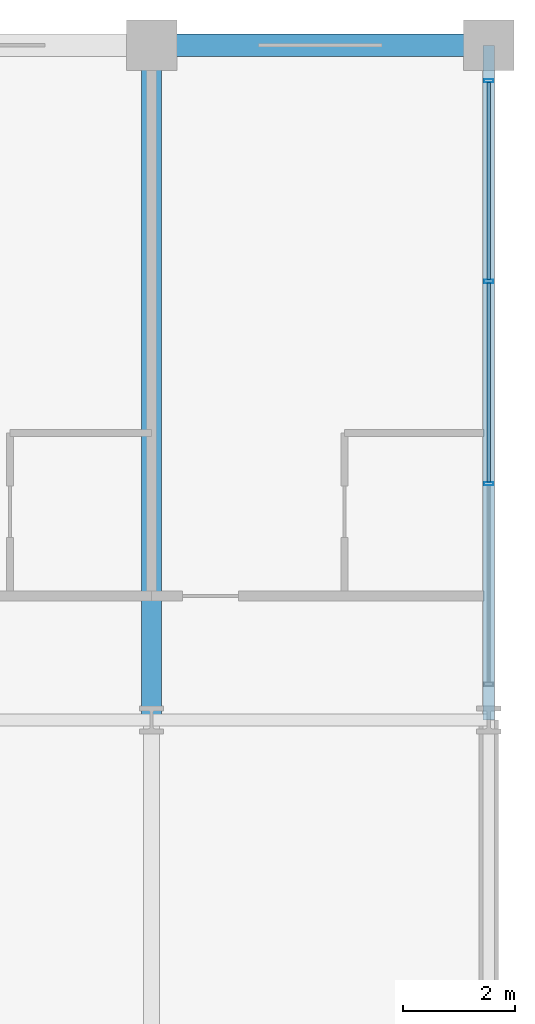
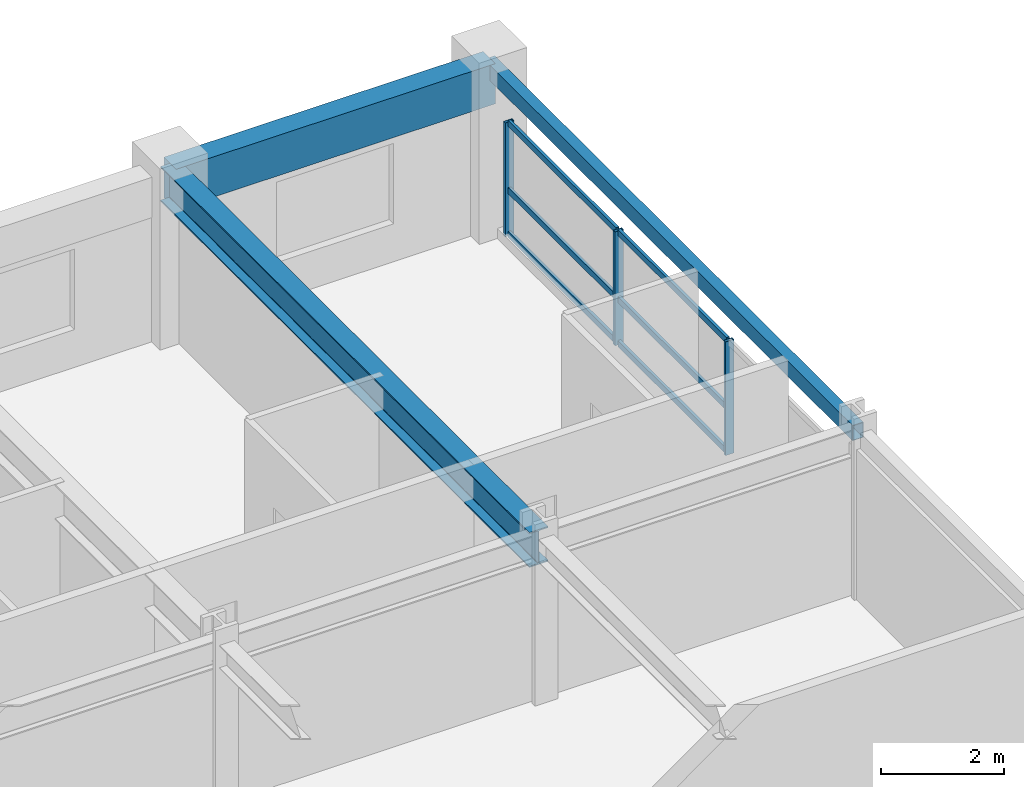
# One storey, part 14 of 22: 9 members, 3 beams, 1 element without a shape of its own.
"""IFC4 building model written with IfcOpenShell, lengths in metres."""

from ifc_helpers import new_model, si_unit, direction, frame, origin, origin_2d, place, context, subcontext, project, spatial, rectangle, hollow_rectangle, i_section, extrude, material, material_profile, profile_set, type_object, element, aggregate, save


model = new_model("IFC4")

# Units and contexts
model_context = context("Model", 3, precision=1e-05, world=origin(), true_north=direction((0.0, 1.0)))
body_context = subcontext(model_context, "Body", "Model", "MODEL_VIEW")
ifc_project = project(units=[si_unit("LENGTHUNIT", "METRE"), si_unit("AREAUNIT", "SQUARE_METRE"), si_unit("VOLUMEUNIT", "CUBIC_METRE"), si_unit("PLANEANGLEUNIT", "RADIAN"), si_unit("MASSUNIT", "GRAM", prefix="KILO")], contexts=[model_context])

# Site, building, storey
site_placement = place(None, origin())
site = spatial("IfcSite", under=ifc_project, at=site_placement, CompositionType="ELEMENT")
building_placement = place(site_placement, origin())
building = spatial("IfcBuilding", under=site, at=building_placement, Name="Kaldorvane Square Convention Centre", CompositionType="ELEMENT")
storey_placement = place(building_placement, frame((0.0, 0.0, 34.80000305175781)))
storey = spatial("IfcBuildingStorey", under=building, at=storey_placement, Name="L07", CompositionType="ELEMENT", Elevation=34.80000305175781)

# Beams
ifc_material_1 = material(Name="Steel ASTM A992 Gr. 50", Category="steel")
ifc_material_profile_1 = material_profile(ifc_material_1, i_section(OverallWidth=0.354705810546875, OverallDepth=0.69549560546875, WebThickness=0.0153961181640625, FlangeThickness=0.0251007080078125, FilletRadius=0.01519775390625, at=origin_2d()), Name="W27X146")
ifc_profile_set_1 = profile_set([ifc_material_profile_1], Name="Steel ASTM A992 Gr. 50")
beam_type_1 = type_object("IfcBeamType", Name="BM-GR-W27X146", PredefinedType="BEAM", material=ifc_profile_set_1)
beam_1_placement = place(storey_placement, frame((90.0, 105.0, 2.93829345703125), z_axis=(0.0, 1.0, 0.0), x_axis=(-1.0, 0.0, 0.0)))
element("IfcBeam", 1, at=beam_1_placement, inside=storey, type_object=beam_type_1, Name="Transverse Girder (L07)", PredefinedType="BEAM", context=body_context, shape_type="SweptSolid", body=[
    extrude(i_section(OverallWidth=0.354705810546875, OverallDepth=0.69549560546875, WebThickness=0.0153961181640625, FlangeThickness=0.0251007080078125, FilletRadius=0.01519775390625, at=origin_2d()), origin(), (0.0, 0.0, 1.0), 12.0),
])
ifc_material_2 = material(Name="Steel ASTM A500 Gr. C", Category="steel")
ifc_material_profile_2 = material_profile(ifc_material_2, hollow_rectangle(XDim=0.2032012939453125, YDim=0.3047943115234375, WallThickness=0.0088958740234375, at=origin_2d()), Name="HSS12X8X3/8")
ifc_profile_set_2 = profile_set([ifc_material_profile_2], Name="Steel ASTM A500 Gr. C")
beam_type_2 = type_object("IfcBeamType", Name="BM-SP-HSS12", PredefinedType="SPANDREL", material=ifc_profile_set_2)
beam_2_placement = place(storey_placement, frame((96.0, 105.0, 3.1335906982421875), z_axis=(0.0, 1.0, 0.0), x_axis=(-1.0, 0.0, 0.0)))
element("IfcBeam", 2, at=beam_2_placement, inside=storey, type_object=beam_type_2, Name="End Spandrel (L07)", PredefinedType="SPANDREL", context=body_context, shape_type="SweptSolid", body=[
    extrude(hollow_rectangle(XDim=0.2032012939453125, YDim=0.3047943115234375, WallThickness=0.0088958740234375, at=origin_2d()), origin(), (0.0, 0.0, 1.0), 12.0),
])
ifc_material_3 = material(Name="Concrete f'c = 42 MPa (Normalweight)", Category="concrete")
ifc_material_profile_3 = material_profile(ifc_material_3, rectangle(XDim=0.399993896484375, YDim=0.8000030517578125, at=origin_2d()), Name="RCSP800X400")
ifc_profile_set_3 = profile_set([ifc_material_profile_3], Name="Concrete f'c = 42 MPa (Normalweight)")
beam_type_3 = type_object("IfcBeamType", Name="BM-SP-RC800", PredefinedType="SPANDREL", material=ifc_profile_set_3)
beam_3_placement = place(storey_placement, frame((90.0, 117.0, 2.8860015869140625), z_axis=(1.0, 0.0, 0.0), x_axis=(0.0, 1.0, 0.0)))
element("IfcBeam", 3, at=beam_3_placement, inside=storey, type_object=beam_type_3, Name="Perimeter Spandrel (L07)", PredefinedType="SPANDREL", context=body_context, shape_type="SweptSolid", body=[
    extrude(rectangle(XDim=0.399993896484375, YDim=0.8000030517578125, at=origin_2d()), origin(), (0.0, 0.0, 1.0), 6.0),
])

# Curtain wall, members
ifc_material_4 = material(Name="Anodized Aluminum and Low-E Insulated Glazing", Category="aluminium")
curtain_wall_type = type_object("IfcCurtainWallType", Name="CW-UNI-HTL-A", PredefinedType="USERDEFINED", material=ifc_material_4)
curtain_wall_placement = place(storey_placement, origin())
curtain_wall = element("IfcCurtainWall", 4, at=curtain_wall_placement, inside=storey, type_object=curtain_wall_type, Name="Curtain Wall CW-10 (L07)", ObjectType="UNITISED GLAZING", PredefinedType="USERDEFINED")
ifc_material_profile_4 = material_profile(ifc_material_4, hollow_rectangle(XDim=0.05999755859375, YDim=0.160003662109375, WallThickness=0.003204345703125, at=origin_2d()), Name="CWM-160X60")
ifc_profile_set_4 = profile_set([ifc_material_profile_4], Name="Anodized Aluminum and Low-E Insulated Glazing")
member_type_1 = type_object("IfcMemberType", Name="CW-MUL-160", PredefinedType="MULLION", material=ifc_profile_set_4)
member_1_placement = place(storey_placement, frame((96.0, 109.19999694824219, 0.149993896484375), z_axis=(0.0, 0.0, 1.0), x_axis=(0.0, 1.0, 0.0)))
member_1 = element("IfcMember", 5, at=member_1_placement, type_object=member_type_1, Name="CW-10 mullion 2", PredefinedType="MULLION", context=body_context, shape_type="SweptSolid", body=[
    extrude(hollow_rectangle(XDim=0.05999755859375, YDim=0.160003662109375, WallThickness=0.003204345703125, at=origin_2d()), origin(), (0.0, 0.0, 1.0), 2.260009765625),
])
member_2_placement = place(storey_placement, frame((96.0, 112.80000305175781, 0.149993896484375), z_axis=(0.0, 0.0, 1.0), x_axis=(0.0, 1.0, 0.0)))
member_2 = element("IfcMember", 6, at=member_2_placement, type_object=member_type_1, Name="CW-10 mullion 3", PredefinedType="MULLION", context=body_context, shape_type="SweptSolid", body=[
    extrude(hollow_rectangle(XDim=0.05999755859375, YDim=0.160003662109375, WallThickness=0.003204345703125, at=origin_2d()), origin(), (0.0, 0.0, 1.0), 2.260009765625),
])
member_3_placement = place(storey_placement, frame((96.0, 116.3699951171875, 0.149993896484375), z_axis=(0.0, 0.0, 1.0), x_axis=(0.0, 1.0, 0.0)))
member_3 = element("IfcMember", 7, at=member_3_placement, type_object=member_type_1, Name="CW-10 mullion 4", PredefinedType="MULLION", context=body_context, shape_type="SweptSolid", body=[
    extrude(hollow_rectangle(XDim=0.05999755859375, YDim=0.160003662109375, WallThickness=0.003204345703125, at=origin_2d()), origin(), (0.0, 0.0, 1.0), 2.260009765625),
])
ifc_material_profile_5 = material_profile(ifc_material_4, hollow_rectangle(XDim=0.05499267578125, YDim=0.1199951171875, WallThickness=0.0030059814453125, at=origin_2d()), Name="CWT-120X55")
ifc_profile_set_5 = profile_set([ifc_material_profile_5], Name="Anodized Aluminum and Low-E Insulated Glazing")
member_type_2 = type_object("IfcMemberType", Name="CW-TRN-120", PredefinedType="USERDEFINED", material=ifc_profile_set_5)
member_4_placement = place(storey_placement, frame((96.0, 109.22999572753906, 0.177490234375), z_axis=(0.0, 1.0, 0.0), x_axis=(-1.0, 0.0, 0.0)))
member_4 = element("IfcMember", 8, at=member_4_placement, type_object=member_type_2, Name="CW-10 transom 2.1", ObjectType="TRANSOM", PredefinedType="USERDEFINED", context=body_context, shape_type="SweptSolid", body=[
    extrude(hollow_rectangle(XDim=0.05499267578125, YDim=0.1199951171875, WallThickness=0.0030059814453125, at=origin_2d()), origin(), (0.0, 0.0, 1.0), 3.540008544921875),
])
member_5_placement = place(storey_placement, frame((96.0, 109.22999572753906, 1.0500030517578125), z_axis=(0.0, 1.0, 0.0), x_axis=(-1.0, 0.0, 0.0)))
member_5 = element("IfcMember", 9, at=member_5_placement, type_object=member_type_2, Name="CW-10 transom 2.2", ObjectType="TRANSOM", PredefinedType="USERDEFINED", context=body_context, shape_type="SweptSolid", body=[
    extrude(hollow_rectangle(XDim=0.05499267578125, YDim=0.1199951171875, WallThickness=0.0030059814453125, at=origin_2d()), origin(), (0.0, 0.0, 1.0), 3.540008544921875),
])
member_6_placement = place(storey_placement, frame((96.0, 109.22999572753906, 2.3824920654296875), z_axis=(0.0, 1.0, 0.0), x_axis=(-1.0, 0.0, 0.0)))
member_6 = element("IfcMember", 10, at=member_6_placement, type_object=member_type_2, Name="CW-10 transom 2.3", ObjectType="TRANSOM", PredefinedType="USERDEFINED", context=body_context, shape_type="SweptSolid", body=[
    extrude(hollow_rectangle(XDim=0.05499267578125, YDim=0.1199951171875, WallThickness=0.0030059814453125, at=origin_2d()), origin(), (0.0, 0.0, 1.0), 3.540008544921875),
])
member_7_placement = place(storey_placement, frame((96.0, 112.83000183105469, 0.177490234375), z_axis=(0.0, 1.0, 0.0), x_axis=(-1.0, 0.0, 0.0)))
member_7 = element("IfcMember", 11, at=member_7_placement, type_object=member_type_2, Name="CW-10 transom 3.1", ObjectType="TRANSOM", PredefinedType="USERDEFINED", context=body_context, shape_type="SweptSolid", body=[
    extrude(hollow_rectangle(XDim=0.05499267578125, YDim=0.1199951171875, WallThickness=0.0030059814453125, at=origin_2d()), origin(), (0.0, 0.0, 1.0), 3.5099945068359375),
])
member_8_placement = place(storey_placement, frame((96.0, 112.83000183105469, 1.0500030517578125), z_axis=(0.0, 1.0, 0.0), x_axis=(-1.0, 0.0, 0.0)))
member_8 = element("IfcMember", 12, at=member_8_placement, type_object=member_type_2, Name="CW-10 transom 3.2", ObjectType="TRANSOM", PredefinedType="USERDEFINED", context=body_context, shape_type="SweptSolid", body=[
    extrude(hollow_rectangle(XDim=0.05499267578125, YDim=0.1199951171875, WallThickness=0.0030059814453125, at=origin_2d()), origin(), (0.0, 0.0, 1.0), 3.5099945068359375),
])
member_9_placement = place(storey_placement, frame((96.0, 112.83000183105469, 2.3824920654296875), z_axis=(0.0, 1.0, 0.0), x_axis=(-1.0, 0.0, 0.0)))
member_9 = element("IfcMember", 13, at=member_9_placement, type_object=member_type_2, Name="CW-10 transom 3.3", ObjectType="TRANSOM", PredefinedType="USERDEFINED", context=body_context, shape_type="SweptSolid", body=[
    extrude(hollow_rectangle(XDim=0.05499267578125, YDim=0.1199951171875, WallThickness=0.0030059814453125, at=origin_2d()), origin(), (0.0, 0.0, 1.0), 3.5099945068359375),
])
aggregate(curtain_wall, [member_1, member_2, member_3, member_4, member_5, member_6, member_7, member_8, member_9])

save(model, "model.ifc")
